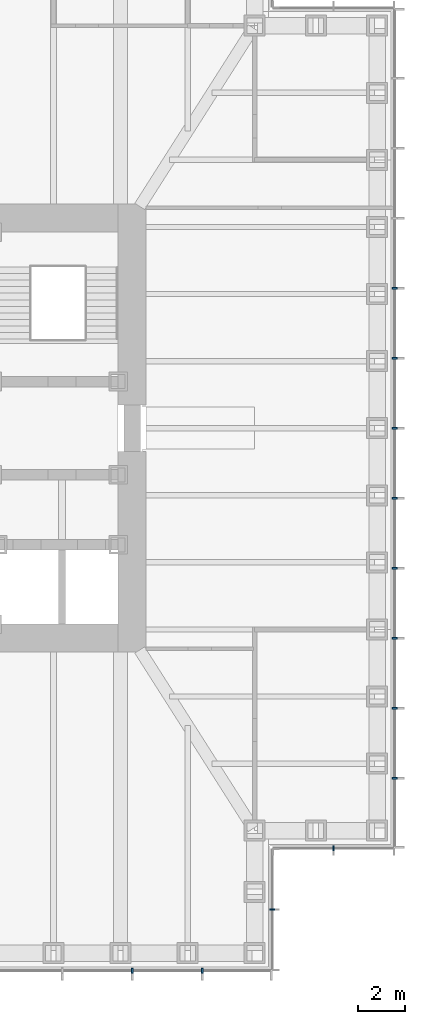
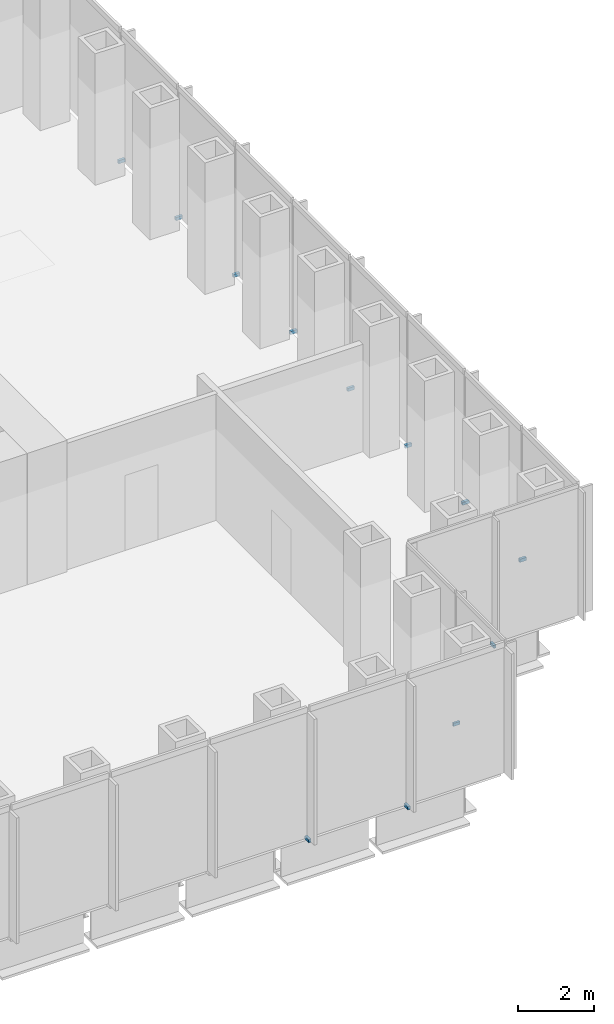
# One storey, part 14 of 17: 12 discrete accessories.
"""IFC4 building model written with IfcOpenShell, lengths in metres."""

from ifc_helpers import new_model, si_unit, direction, frame, origin, origin_2d, place, context, subcontext, project, spatial, rectangle, extrude, element, save


model = new_model("IFC4")

# Units and contexts
model_context = context("Model", 3, precision=1e-05, world=origin(), true_north=direction((0.0, 1.0)))
body_context = subcontext(model_context, "Body", "Model", "MODEL_VIEW")
ifc_project = project(units=[si_unit("LENGTHUNIT", "METRE"), si_unit("AREAUNIT", "SQUARE_METRE"), si_unit("VOLUMEUNIT", "CUBIC_METRE"), si_unit("PLANEANGLEUNIT", "RADIAN"), si_unit("MASSUNIT", "GRAM", prefix="KILO")], contexts=[model_context])

# Site, building, storey
site_placement = place(None, origin())
site = spatial("IfcSite", under=ifc_project, at=site_placement, CompositionType="ELEMENT")
building_placement = place(site_placement, origin())
building = spatial("IfcBuilding", under=site, at=building_placement, Name="Daluyong Arena Tower", CompositionType="ELEMENT")
storey_placement = place(building_placement, frame((0.0, 0.0, 158.5)))
storey = spatial("IfcBuildingStorey", under=building, at=storey_placement, Name="L35", CompositionType="ELEMENT", Elevation=158.5)

# Discrete accessories
for number, where, z_axis, x_axis, name in (
    (1, (68.0, 56.75, -0.10009765625), (0.0, 0.0, 1.0), (1.0, 0.0, 0.0), "curtain wall L35 S anchor bracket 11"),
    (2, (71.0, 56.75, -0.10009765625), (0.0, 0.0, 1.0), (1.0, 0.0, 0.0), "curtain wall L35 S anchor bracket 12"),
):
    element("IfcDiscreteAccessory", number, at=place(storey_placement, frame(where, z_axis=z_axis, x_axis=x_axis)), inside=storey, Name=name, PredefinedType="BRACKET", context=body_context, shape_type="SweptSolid", body=[
        extrude(rectangle(XDim=0.080078125, YDim=0.199951171875, at=origin_2d()), origin(), (0.0, 0.0, 1.0), 0.10009765625),
    ])
for number, where, z_axis, x_axis, name in (
    (3, (74.0, 59.375, -0.10009765625), (0.0, 0.0, 1.0), (0.0, 1.0, 0.0), "curtain wall L35 SE-E anchor bracket 2"),
    (4, (76.625, 62.0, -0.10009765625), (0.0, 0.0, 1.0), (1.0, 0.0, 0.0), "curtain wall L35 SE-S anchor bracket 2"),
):
    element("IfcDiscreteAccessory", number, at=place(storey_placement, frame(where, z_axis=z_axis, x_axis=x_axis)), inside=storey, Name=name, PredefinedType="BRACKET", context=body_context, shape_type="SweptSolid", body=[
        extrude(rectangle(XDim=0.06005859375, YDim=0.199951171875, at=origin_2d()), origin(), (0.0, 0.0, 1.0), 0.10009765625),
    ])
for number, where, z_axis, x_axis, name in (
    (5, (79.25, 65.0, -0.10009765625), (0.0, 0.0, 1.0), (0.0, 1.0, 0.0), "curtain wall L35 E anchor bracket 2"),
    (6, (79.25, 68.0, -0.10009765625), (0.0, 0.0, 1.0), (0.0, 1.0, 0.0), "curtain wall L35 E anchor bracket 3"),
    (7, (79.25, 71.0, -0.10009765625), (0.0, 0.0, 1.0), (0.0, 1.0, 0.0), "curtain wall L35 E anchor bracket 4"),
    (8, (79.25, 74.0, -0.10009765625), (0.0, 0.0, 1.0), (0.0, 1.0, 0.0), "curtain wall L35 E anchor bracket 5"),
    (9, (79.25, 77.0, -0.10009765625), (0.0, 0.0, 1.0), (0.0, 1.0, 0.0), "curtain wall L35 E anchor bracket 6"),
    (10, (79.25, 80.0, -0.10009765625), (0.0, 0.0, 1.0), (0.0, 1.0, 0.0), "curtain wall L35 E anchor bracket 7"),
    (11, (79.25, 83.0, -0.10009765625), (0.0, 0.0, 1.0), (0.0, 1.0, 0.0), "curtain wall L35 E anchor bracket 8"),
    (12, (79.25, 86.0, -0.10009765625), (0.0, 0.0, 1.0), (0.0, 1.0, 0.0), "curtain wall L35 E anchor bracket 9"),
):
    element("IfcDiscreteAccessory", number, at=place(storey_placement, frame(where, z_axis=z_axis, x_axis=x_axis)), inside=storey, Name=name, PredefinedType="BRACKET", context=body_context, shape_type="SweptSolid", body=[
        extrude(rectangle(XDim=0.080078125, YDim=0.199951171875, at=origin_2d()), origin(), (0.0, 0.0, 1.0), 0.10009765625),
    ])

save(model, "model.ifc")
